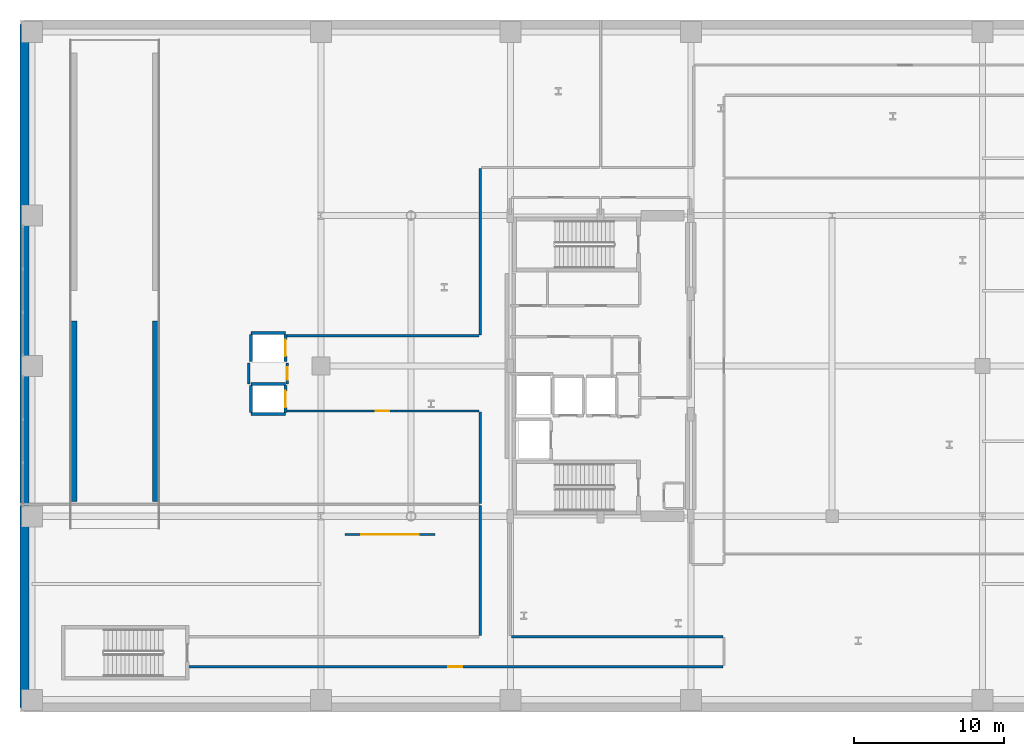
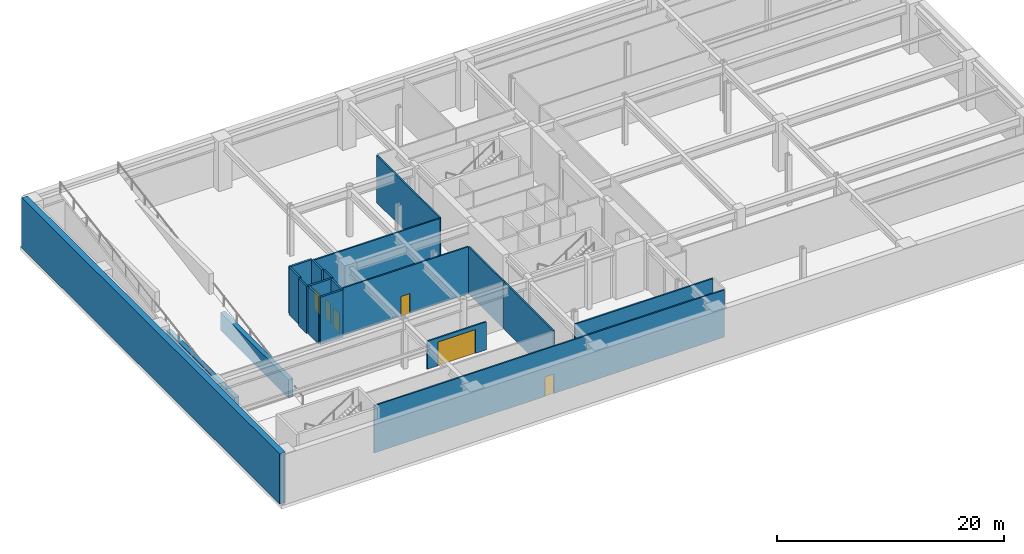
# One storey, part 15 of 25: 20 walls, 6 doors, 6 openings.
"""IFC4 building model written with IfcOpenShell, lengths in metres."""

from ifc_helpers import new_model, si_unit, direction, frame, frame_2d, origin, place, context, subcontext, project, spatial, rectangle, extrude, material, layer, layer_set, type_object, element, fill, save


model = new_model("IFC4")

# Units and contexts
model_context = context("Model", 3, precision=1e-05, world=origin(), true_north=direction((0.0, 1.0)))
body_context = subcontext(model_context, "Body", "Model", "MODEL_VIEW")
ifc_project = project(units=[si_unit("LENGTHUNIT", "METRE"), si_unit("AREAUNIT", "SQUARE_METRE"), si_unit("VOLUMEUNIT", "CUBIC_METRE"), si_unit("PLANEANGLEUNIT", "RADIAN"), si_unit("MASSUNIT", "GRAM", prefix="KILO")], contexts=[model_context])

# Site, building, storey
site_placement = place(None, origin())
site = spatial("IfcSite", under=ifc_project, at=site_placement, CompositionType="ELEMENT")
building_placement = place(site_placement, origin())
building = spatial("IfcBuilding", under=site, at=building_placement, Name="Soratama Intermodal Tower", CompositionType="ELEMENT")
storey_placement = place(building_placement, frame((0.0, 0.0, -5.39990234375)))
storey = spatial("IfcBuildingStorey", under=building, at=storey_placement, Name="B1", CompositionType="ELEMENT", Elevation=-5.39990234375)

# Wall, opening, door
ifc_material_1 = material(Name="Fire-rated gypsum stud partition", Category="concrete")
ifc_layer_1 = layer(ifc_material_1, 0.14990234375)
ifc_layer_set_1 = layer_set([ifc_layer_1], Name="Fire-rated gypsum stud partition")
wall_type_1 = type_object("IfcWallType", Name="IW-PART-R150", PredefinedType="PARTITIONING", material=ifc_layer_set_1)
wall_1_placement = place(storey_placement, frame((21.60009765625, 13.800048828125, 0.0), z_axis=(0.0, 0.0, 1.0), x_axis=(1.0, 0.0, 0.0)))
wall_1 = element("IfcWall", 1, at=wall_1_placement, inside=storey, type_object=wall_type_1, Name="B1 Car Park Entry Portal Wall", PredefinedType="PARTITIONING", context=body_context, shape_type="SweptSolid", body=[
    extrude(rectangle(XDim=6.0, YDim=0.14990234375, at=frame_2d((3.0, 0.0))), origin(), (0.0, 0.0, 1.0), 3.0),
])
opening_1_placement = place(wall_1_placement, frame((1.10009765625, 0.0, 0.0)))
opening_1 = element("IfcOpeningElement", 2, at=opening_1_placement, cuts=wall_1, Name="Opening VG-2", PredefinedType="OPENING", context=body_context, shape_type="SweptSolid", body=[
    extrude(rectangle(XDim=3.800048828125, YDim=2.550048828125, at=frame_2d((1.89990234375, 1.27490234375))), frame((0.0, 0.0849609375, 0.0), z_axis=(0.0, -1.0, 0.0), x_axis=(1.0, 0.0, 0.0)), (0.0, 0.0, 1.0), 0.169921875),
])
ifc_material_2 = material(Name="Steel fire door", Category="steel")
door_type_1 = type_object("IfcDoorType", Name="DR-VEH-GATE-INT", OperationType="NOTDEFINED", PredefinedType="GATE", material=ifc_material_2)
door_1_placement = place(opening_1_placement, origin())
door_1 = element("IfcDoor", 3, at=door_1_placement, inside=storey, type_object=door_type_1, Name="B1 Car Park Vehicle Roller Gate", OperationType="SINGLE_SWING_LEFT", OverallHeight=2.550048828125, OverallWidth=3.800048828125, PredefinedType="GATE", context=body_context, shape_type="SweptSolid", body=[
    extrude(rectangle(XDim=3.800048828125, YDim=2.550048828125, at=frame_2d((1.89990234375, 1.27490234375))), frame((0.0, 0.02490234375, 0.0), z_axis=(0.0, -1.0, 0.0), x_axis=(1.0, 0.0, 0.0)), (0.0, 0.0, 1.0), 0.050048828125),
])
fill(opening_1, door_1)

wall_2_placement = place(storey_placement, frame((46.72998046875, 5.0, 0.0), z_axis=(0.0, 0.0, 1.0), x_axis=(-1.0, 0.0, 0.0)))
wall_2 = element("IfcWall", 4, at=wall_2_placement, inside=storey, type_object=wall_type_1, Name="B1 Partition W-B1-TP003", PredefinedType="PARTITIONING", context=body_context, shape_type="SweptSolid", body=[
    extrude(rectangle(XDim=35.60986328125, YDim=0.14990234375, at=frame_2d((17.804931640625, 0.0))), origin(), (0.0, 0.0, 1.0), 5.079833984375),
])
opening_2_placement = place(wall_2_placement, frame((17.330078125, 0.0, 0.0)))
opening_2 = element("IfcOpeningElement", 5, at=opening_2_placement, cuts=wall_2, Name="Opening ID-6", PredefinedType="OPENING", context=body_context, shape_type="SweptSolid", body=[
    extrude(rectangle(XDim=0.919921875, YDim=2.1201171875, at=frame_2d((0.4599609375, 1.06005859375))), frame((0.0, 0.0849609375, 0.0), z_axis=(0.0, -1.0, 0.0), x_axis=(1.0, 0.0, 0.0)), (0.0, 0.0, 1.0), 0.169921875),
])
ifc_material_3 = material(Name="Solid hardwood acoustic door", Category="wood")
door_type_2 = type_object("IfcDoorType", Name="DR-ROOM-920", OperationType="NOTDEFINED", PredefinedType="DOOR", material=ifc_material_3)
door_2_placement = place(opening_2_placement, origin())
door_2 = element("IfcDoor", 6, at=door_2_placement, inside=storey, type_object=door_type_2, Name="B1 Door D-B1-TP001", OperationType="SINGLE_SWING_RIGHT", OverallHeight=2.1201171875, OverallWidth=0.919921875, PredefinedType="DOOR", context=body_context, shape_type="SweptSolid", body=[
    extrude(rectangle(XDim=0.919921875, YDim=2.1201171875, at=frame_2d((0.4599609375, 1.06005859375))), frame((0.0, 0.02490234375, 0.0), z_axis=(0.0, -1.0, 0.0), x_axis=(1.0, 0.0, 0.0)), (0.0, 0.0, 1.0), 0.050048828125),
])
fill(opening_2, door_2)

# Wall
wall_3_placement = place(storey_placement, frame((32.669921875, 7.0, 0.0), z_axis=(0.0, 0.0, 1.0), x_axis=(1.0, 0.0, 0.0)))
element("IfcWall", 7, at=wall_3_placement, inside=storey, type_object=wall_type_1, Name="B1 Partition W-B1-TP009", PredefinedType="PARTITIONING", context=body_context, shape_type="SweptSolid", body=[
    extrude(rectangle(XDim=14.06005859375, YDim=0.14990234375, at=frame_2d((7.030029296875, 0.0))), origin(), (0.0, 0.0, 1.0), 5.079833984375),
])

# Wall, opening, door
wall_4_placement = place(storey_placement, frame((30.530029296875, 22.0, 0.0), z_axis=(0.0, 0.0, 1.0), x_axis=(-1.0, 0.0, 0.0)))
wall_4 = element("IfcWall", 8, at=wall_4_placement, inside=storey, type_object=wall_type_1, Name="B1 Partition W-B1-TP010", PredefinedType="PARTITIONING", context=body_context, shape_type="SweptSolid", body=[
    extrude(rectangle(XDim=12.880126953125, YDim=0.14990234375, at=frame_2d((6.43994140625, 0.0))), origin(), (0.0, 0.0, 1.0), 5.079833984375),
])
opening_3_placement = place(wall_4_placement, frame((5.965087890625, 0.0, 0.0)))
opening_3 = element("IfcOpeningElement", 9, at=opening_3_placement, cuts=wall_4, Name="Opening ID-6", PredefinedType="OPENING", context=body_context, shape_type="SweptSolid", body=[
    extrude(rectangle(XDim=0.919921875, YDim=2.1201171875, at=frame_2d((0.4599609375, 1.06005859375))), frame((0.0, 0.0849609375, 0.0), z_axis=(0.0, -1.0, 0.0), x_axis=(1.0, 0.0, 0.0)), (0.0, 0.0, 1.0), 0.169921875),
])
door_3_placement = place(opening_3_placement, origin())
door_3 = element("IfcDoor", 10, at=door_3_placement, inside=storey, type_object=door_type_2, Name="B1 Door D-B1-TP004", OperationType="SINGLE_SWING_LEFT", OverallHeight=2.1201171875, OverallWidth=0.919921875, PredefinedType="DOOR", context=body_context, shape_type="SweptSolid", body=[
    extrude(rectangle(XDim=0.919921875, YDim=2.1201171875, at=frame_2d((0.4599609375, 1.06005859375))), frame((0.0, 0.02490234375, 0.0), z_axis=(0.0, -1.0, 0.0), x_axis=(1.0, 0.0, 0.0)), (0.0, 0.0, 1.0), 0.050048828125),
])
fill(opening_3, door_3)

# Walls
wall_5_placement = place(storey_placement, frame((17.64990234375, 27.0, 0.0), z_axis=(0.0, 0.0, 1.0), x_axis=(1.0, 0.0, 0.0)))
element("IfcWall", 11, at=wall_5_placement, inside=storey, type_object=wall_type_1, Name="B1 Partition W-B1-TP011", PredefinedType="PARTITIONING", context=body_context, shape_type="SweptSolid", body=[
    extrude(rectangle(XDim=12.880126953125, YDim=0.14990234375, at=frame_2d((6.43994140625, 0.0))), origin(), (0.0, 0.0, 1.0), 5.079833984375),
])
wall_6_placement = place(storey_placement, frame((30.60009765625, 27.070068359375, 0.0), z_axis=(0.0, 0.0, 1.0), x_axis=(0.0, 1.0, 0.0)))
element("IfcWall", 12, at=wall_6_placement, inside=storey, type_object=wall_type_1, Name="B1 Partition W-B1-TP012", PredefinedType="PARTITIONING", context=body_context, shape_type="SweptSolid", body=[
    extrude(rectangle(XDim=11.059814453125, YDim=0.14990234375, at=frame_2d((5.52978515625, 0.0))), origin(), (0.0, 0.0, 1.0), 5.079833984375),
])
wall_7_placement = place(storey_placement, frame((30.60009765625, 7.070068359375, 0.0), z_axis=(0.0, 0.0, 1.0), x_axis=(0.0, 1.0, 0.0)))
element("IfcWall", 13, at=wall_7_placement, inside=storey, type_object=wall_type_1, Name="B1 Partition W-B1-TP014", PredefinedType="PARTITIONING", context=body_context, shape_type="SweptSolid", body=[
    extrude(rectangle(XDim=8.659912109375, YDim=0.14990234375, at=frame_2d((4.330078125, 0.0))), origin(), (0.0, 0.0, 1.0), 5.079833984375),
])
wall_8_placement = place(storey_placement, frame((30.60009765625, 15.8701171875, 0.0), z_axis=(0.0, 0.0, 1.0), x_axis=(0.0, 1.0, 0.0)))
element("IfcWall", 14, at=wall_8_placement, inside=storey, type_object=wall_type_1, Name="B1 Partition W-B1-TP020", PredefinedType="PARTITIONING", context=body_context, shape_type="SweptSolid", body=[
    extrude(rectangle(XDim=6.059814453125, YDim=0.14990234375, at=frame_2d((3.02978515625, 0.0))), origin(), (0.0, 0.0, 1.0), 5.079833984375),
])

# Wall, opening, door
wall_9_placement = place(storey_placement, frame((17.77001953125, 23.800048828125, 0.0), z_axis=(0.0, 0.0, 1.0), x_axis=(0.0, 1.0, 0.0)))
wall_9 = element("IfcWall", 15, at=wall_9_placement, inside=storey, type_object=wall_type_1, Name="B1 Partition W-B1-TP040", PredefinedType="PARTITIONING", context=body_context, shape_type="SweptSolid", body=[
    extrude(rectangle(XDim=1.39990234375, YDim=0.14990234375, at=frame_2d((0.699951171875, 0.0))), origin(), (0.0, 0.0, 1.0), 5.079833984375),
])
opening_4_placement = place(wall_9_placement, frame((0.27490234375, 0.0, 0.0)))
opening_4 = element("IfcOpeningElement", 16, at=opening_4_placement, cuts=wall_9, Name="Opening ID-4", PredefinedType="OPENING", context=body_context, shape_type="SweptSolid", body=[
    extrude(rectangle(XDim=0.85009765625, YDim=2.10009765625, at=frame_2d((0.425048828125, 1.050048828125))), frame((0.0, 0.0849609375, 0.0), z_axis=(0.0, -1.0, 0.0), x_axis=(1.0, 0.0, 0.0)), (0.0, 0.0, 1.0), 0.169921875),
])
ifc_material_4 = material(Name="Solid hardwood acoustic door", Category="wood")
door_type_3 = type_object("IfcDoorType", Name="DR-BATH-850", OperationType="NOTDEFINED", PredefinedType="DOOR", material=ifc_material_4)
door_4_placement = place(opening_4_placement, origin())
door_4 = element("IfcDoor", 17, at=door_4_placement, inside=storey, type_object=door_type_3, Name="B1 Door D-B1-TP014", OperationType="SINGLE_SWING_LEFT", OverallHeight=2.10009765625, OverallWidth=0.85009765625, PredefinedType="DOOR", context=body_context, shape_type="SweptSolid", body=[
    extrude(rectangle(XDim=0.85009765625, YDim=2.10009765625, at=frame_2d((0.425048828125, 1.050048828125))), frame((0.0, 0.02490234375, 0.0), z_axis=(0.0, -1.0, 0.0), x_axis=(1.0, 0.0, 0.0)), (0.0, 0.0, 1.0), 0.050048828125),
])
fill(opening_4, door_4)

# Walls
wall_10_placement = place(storey_placement, frame((15.205078125, 23.800048828125, 0.0), z_axis=(0.0, 0.0, 1.0), x_axis=(0.0, 1.0, 0.0)))
element("IfcWall", 18, at=wall_10_placement, inside=storey, type_object=wall_type_1, Name="B1 Partition W-B1-TP041", PredefinedType="PARTITIONING", context=body_context, shape_type="SweptSolid", body=[
    extrude(rectangle(XDim=1.39990234375, YDim=0.14990234375, at=frame_2d((0.699951171875, 0.0))), origin(), (0.0, 0.0, 1.0), 5.079833984375),
])
ifc_material_5 = material(Name="Concrete f'c 42 MPa", Category="concrete")
ifc_layer_2 = layer(ifc_material_5, 0.199951171875)
ifc_layer_set_2 = layer_set([ifc_layer_2], Name="Concrete f'c 42 MPa")
wall_type_2 = type_object("IfcWallType", Name="IW-SHAFT-200", PredefinedType="SOLIDWALL", material=ifc_layer_set_2)
for number, where, z_axis, x_axis, name in (
    (19, (15.35009765625, 21.800048828125, 0.0), (0.0, 0.0, 1.0), (1.0, 0.0, 0.0), "B1 PL-P1 Hoistway Wall S"),
    (20, (15.35009765625, 23.800048828125, 0.0), (0.0, 0.0, 1.0), (1.0, 0.0, 0.0), "B1 PL-P1 Hoistway Wall N"),
):
    element("IfcWall", number, at=place(storey_placement, frame(where, z_axis=z_axis, x_axis=x_axis)), inside=storey, type_object=wall_type_2, Name=name, PredefinedType="SOLIDWALL", context=body_context, shape_type="SweptSolid", body=[
        extrude(rectangle(XDim=2.2998046875, YDim=0.199951171875, at=frame_2d((1.14990234375, 0.0))), origin(), (0.0, 0.0, 1.0), 5.079833984375),
    ])
wall_11_placement = place(storey_placement, frame((15.35009765625, 21.909912109375, 0.0), z_axis=(0.0, 0.0, 1.0), x_axis=(0.0, 1.0, 0.0)))
element("IfcWall", 21, at=wall_11_placement, inside=storey, type_object=wall_type_2, Name="B1 PL-P1 Hoistway Wall W", PredefinedType="SOLIDWALL", context=body_context, shape_type="SweptSolid", body=[
    extrude(rectangle(XDim=1.780029296875, YDim=0.199951171875, at=frame_2d((0.89013671875, 0.0))), origin(), (0.0, 0.0, 1.0), 5.079833984375),
])

# Wall, opening, door
wall_12_placement = place(storey_placement, frame((17.64990234375, 21.909912109375, 0.0), z_axis=(0.0, 0.0, 1.0), x_axis=(0.0, 1.0, 0.0)))
wall_12 = element("IfcWall", 22, at=wall_12_placement, inside=storey, type_object=wall_type_2, Name="B1 PL-P1 Hoistway Wall E", PredefinedType="SOLIDWALL", context=body_context, shape_type="SweptSolid", body=[
    extrude(rectangle(XDim=1.780029296875, YDim=0.199951171875, at=frame_2d((0.89013671875, 0.0))), origin(), (0.0, 0.0, 1.0), 5.079833984375),
])
opening_5_placement = place(wall_12_placement, frame((0.340087890625, 0.0, 0.0)))
opening_5 = element("IfcOpeningElement", 23, at=opening_5_placement, cuts=wall_12, Name="Opening LD-1", PredefinedType="OPENING", context=body_context, shape_type="SweptSolid", body=[
    extrude(rectangle(XDim=1.10009765625, YDim=2.14990234375, at=frame_2d((0.550048828125, 1.074951171875))), frame((0.0, 0.10986328125, 0.0), z_axis=(0.0, -1.0, 0.0), x_axis=(1.0, 0.0, 0.0)), (0.0, 0.0, 1.0), 0.219970703125),
])
ifc_material_6 = material(Name="Steel fire door", Category="steel")
door_type_4 = type_object("IfcDoorType", Name="DR-LIFT-SLIDE", OperationType="NOTDEFINED", PredefinedType="DOOR", material=ifc_material_6)
door_5_placement = place(opening_5_placement, origin())
door_5 = element("IfcDoor", 24, at=door_5_placement, inside=storey, type_object=door_type_4, Name="B1 PL-P1 Sliding Landing Door", OperationType="SLIDING_TO_LEFT", OverallHeight=2.14990234375, OverallWidth=1.10009765625, PredefinedType="DOOR", context=body_context, shape_type="SweptSolid", body=[
    extrude(rectangle(XDim=1.10009765625, YDim=2.14990234375, at=frame_2d((0.550048828125, 1.074951171875))), frame((0.0, 0.02490234375, 0.0), z_axis=(0.0, -1.0, 0.0), x_axis=(1.0, 0.0, 0.0)), (0.0, 0.0, 1.0), 0.050048828125),
])
fill(opening_5, door_5)

# Walls
wall_13_placement = place(storey_placement, frame((15.35009765625, 27.199951171875, 0.0), z_axis=(0.0, 0.0, 1.0), x_axis=(1.0, 0.0, 0.0)))
element("IfcWall", 25, at=wall_13_placement, inside=storey, type_object=wall_type_2, Name="B1 PL-P2 Hoistway Wall N", PredefinedType="SOLIDWALL", context=body_context, shape_type="SweptSolid", body=[
    extrude(rectangle(XDim=2.2998046875, YDim=0.199951171875, at=frame_2d((1.14990234375, 0.0))), origin(), (0.0, 0.0, 1.0), 5.079833984375),
])
wall_14_placement = place(storey_placement, frame((15.35009765625, 25.31005859375, 0.0), z_axis=(0.0, 0.0, 1.0), x_axis=(0.0, 1.0, 0.0)))
element("IfcWall", 26, at=wall_14_placement, inside=storey, type_object=wall_type_2, Name="B1 PL-P2 Hoistway Wall W", PredefinedType="SOLIDWALL", context=body_context, shape_type="SweptSolid", body=[
    extrude(rectangle(XDim=1.780029296875, YDim=0.199951171875, at=frame_2d((0.89013671875, 0.0))), origin(), (0.0, 0.0, 1.0), 5.079833984375),
])

# Wall, opening, door
wall_15_placement = place(storey_placement, frame((17.64990234375, 25.31005859375, 0.0), z_axis=(0.0, 0.0, 1.0), x_axis=(0.0, 1.0, 0.0)))
wall_15 = element("IfcWall", 27, at=wall_15_placement, inside=storey, type_object=wall_type_2, Name="B1 PL-P2 Hoistway Wall E", PredefinedType="SOLIDWALL", context=body_context, shape_type="SweptSolid", body=[
    extrude(rectangle(XDim=1.780029296875, YDim=0.199951171875, at=frame_2d((0.89013671875, 0.0))), origin(), (0.0, 0.0, 1.0), 5.079833984375),
])
opening_6_placement = place(wall_15_placement, frame((0.340087890625, 0.0, 0.0)))
opening_6 = element("IfcOpeningElement", 28, at=opening_6_placement, cuts=wall_15, Name="Opening LD-1", PredefinedType="OPENING", context=body_context, shape_type="SweptSolid", body=[
    extrude(rectangle(XDim=1.10009765625, YDim=2.14990234375, at=frame_2d((0.550048828125, 1.074951171875))), frame((0.0, 0.10986328125, 0.0), z_axis=(0.0, -1.0, 0.0), x_axis=(1.0, 0.0, 0.0)), (0.0, 0.0, 1.0), 0.219970703125),
])
door_6_placement = place(opening_6_placement, origin())
door_6 = element("IfcDoor", 29, at=door_6_placement, inside=storey, type_object=door_type_4, Name="B1 PL-P2 Sliding Landing Door", OperationType="SLIDING_TO_LEFT", OverallHeight=2.14990234375, OverallWidth=1.10009765625, PredefinedType="DOOR", context=body_context, shape_type="SweptSolid", body=[
    extrude(rectangle(XDim=1.10009765625, YDim=2.14990234375, at=frame_2d((0.550048828125, 1.074951171875))), frame((0.0, 0.02490234375, 0.0), z_axis=(0.0, -1.0, 0.0), x_axis=(1.0, 0.0, 0.0)), (0.0, 0.0, 1.0), 0.050048828125),
])
fill(opening_6, door_6)

# Walls
ifc_material_7 = material(Name="Concrete f'c 42 MPa", Category="concrete")
ifc_layer_3 = layer(ifc_material_7, 0.60009765625)
ifc_layer_set_3 = layer_set([ifc_layer_3], Name="Concrete f'c 42 MPa")
wall_type_3 = type_object("IfcWallType", Name="RW-BSMT-600", PredefinedType="USERDEFINED", material=ifc_layer_set_3)
wall_16_placement = place(storey_placement, frame((0.300048828125, 47.699951171875, 0.0), z_axis=(0.0, 0.0, 1.0), x_axis=(0.0, -1.0, 0.0)))
element("IfcWall", 30, at=wall_16_placement, inside=storey, type_object=wall_type_3, Name="B1 Retaining Wall W", ObjectType="RETAINING WALL", PredefinedType="USERDEFINED", context=body_context, shape_type="SweptSolid", body=[
    extrude(rectangle(XDim=45.39990234375, YDim=0.60009765625, at=frame_2d((22.699951171875, 0.0))), origin(), (0.0, 0.0, 1.0), 5.39990234375),
])
ifc_material_8 = material(Name="Concrete f'c 56 MPa", Category="concrete")
ifc_layer_4 = layer(ifc_material_8, 0.449951171875)
ifc_layer_set_4 = layer_set([ifc_layer_4], Name="Concrete f'c 56 MPa")
wall_type_4 = type_object("IfcWallType", Name="SW-CORE-450", PredefinedType="SHEAR", material=ifc_layer_set_4)
for number, where, z_axis, x_axis, name in (
    (31, (3.550048828125, 16.0, 0.0), (0.0, 0.0, 1.0), (0.0, 1.0, 0.0), "B1 Vehicle Ramp Lower Cheek Wall W"),
    (32, (9.050048828125, 16.0, 0.0), (0.0, 0.0, 1.0), (0.0, 1.0, 0.0), "B1 Vehicle Ramp Lower Cheek Wall E"),
):
    element("IfcWall", number, at=place(storey_placement, frame(where, z_axis=z_axis, x_axis=x_axis)), inside=storey, type_object=wall_type_4, Name=name, PredefinedType="SHEAR", context=body_context, shape_type="SweptSolid", body=[
        extrude(rectangle(XDim=12.0, YDim=0.449951171875, at=frame_2d((6.0, 0.0))), origin(), (0.0, 0.0, 1.0), 1.949951171875),
    ])

save(model, "model.ifc")
